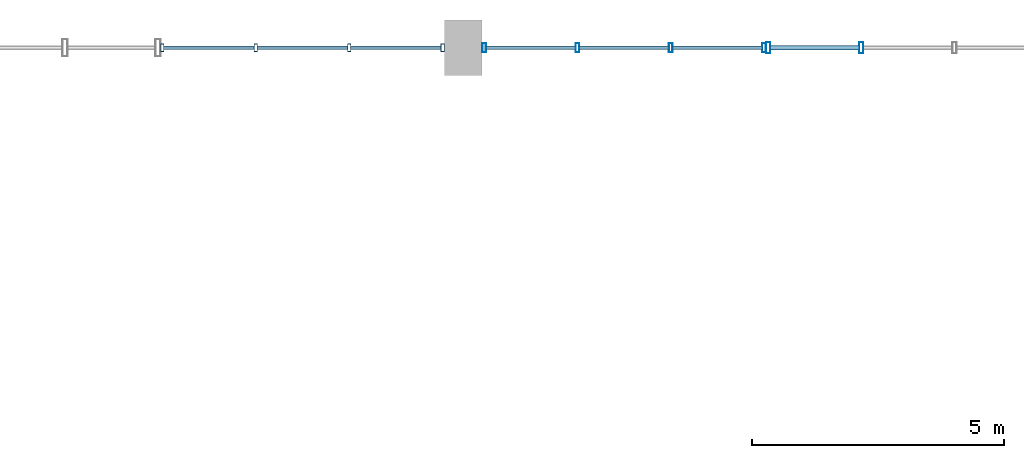
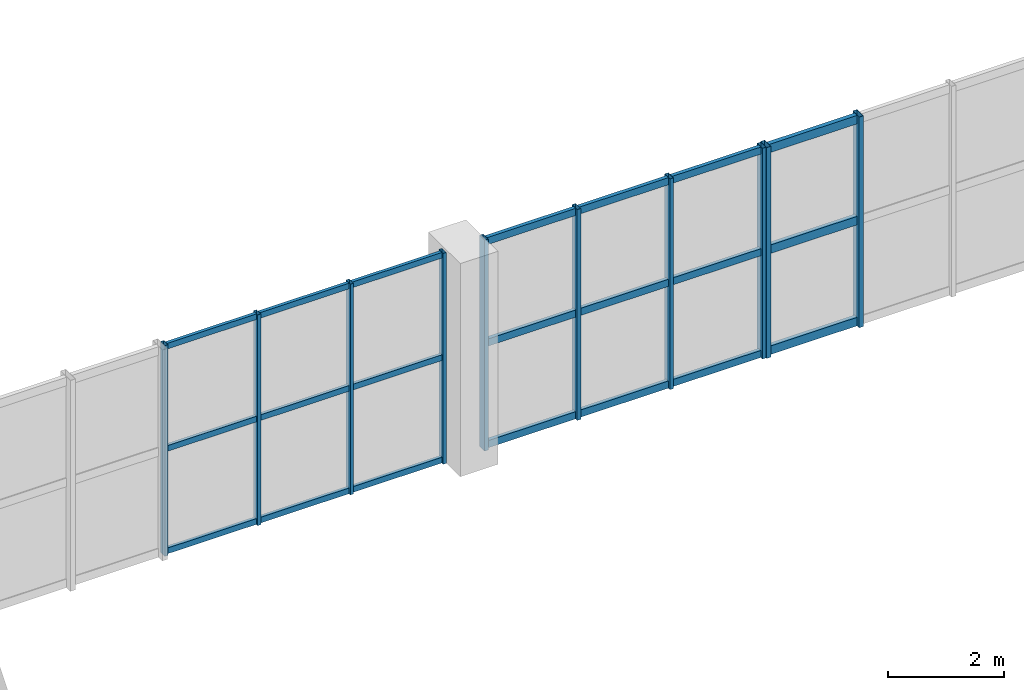
# One storey, part 27 of 48: 31 members, 3 elements without a shape of their own.
"""IFC4 building model written with IfcOpenShell, lengths in metres."""

from ifc_helpers import new_model, si_unit, direction, frame, origin, origin_2d, place, context, subcontext, project, spatial, hollow_rectangle, extrude, material, layer, layer_set, material_profile, profile_set, type_object, element, aggregate, save


model = new_model("IFC4")

# Units and contexts
model_context = context("Model", 3, precision=1e-05, world=origin(), true_north=direction((0.0, 1.0)))
body_context = subcontext(model_context, "Body", "Model", "MODEL_VIEW")
ifc_project = project(units=[si_unit("LENGTHUNIT", "METRE"), si_unit("AREAUNIT", "SQUARE_METRE"), si_unit("VOLUMEUNIT", "CUBIC_METRE"), si_unit("PLANEANGLEUNIT", "RADIAN"), si_unit("MASSUNIT", "GRAM", prefix="KILO"), si_unit("POWERUNIT", "WATT"), si_unit("THERMODYNAMICTEMPERATUREUNIT", "KELVIN")], contexts=[model_context])

# Site, building, storey
site_placement = place(None, origin())
site = spatial("IfcSite", under=ifc_project, at=site_placement, CompositionType="ELEMENT")
building_placement = place(site_placement, origin())
building = spatial("IfcBuilding", under=site, at=building_placement, Name="Kelmbourne Parkland Aquatics Centre", CompositionType="ELEMENT")
storey_placement = place(building_placement, frame((0.0, 0.0, 14.699951171875)))
storey = spatial("IfcBuildingStorey", under=building, at=storey_placement, Name="L03", CompositionType="ELEMENT", Elevation=14.699951171875)

# Curtain wall, members
ifc_material = material(Name="Thermally broken anodised aluminium framing", Category="aluminium")
ifc_layer_1 = layer(ifc_material, 0.179931640625)
ifc_layer_set_1 = layer_set([ifc_layer_1], Name="Thermally broken anodised aluminium framing")
curtain_wall_type_1 = type_object("IfcCurtainWallType", Name="CW-06", PredefinedType="NOTDEFINED", material=ifc_layer_set_1)
curtain_wall_1_placement = place(storey_placement, origin())
curtain_wall_1 = element("IfcCurtainWall", 1, at=curtain_wall_1_placement, inside=storey, type_object=curtain_wall_type_1, Name="Wave-hall clerestory curtain wall CW-L03-150", PredefinedType="NOTDEFINED")
ifc_material_profile_1 = material_profile(ifc_material, hollow_rectangle(XDim=0.06494140625, YDim=0.14990234375, WallThickness=0.00390625, at=origin_2d()), Name="CW-M 65x150")
ifc_profile_set_1 = profile_set([ifc_material_profile_1], Name="Thermally broken anodised aluminium framing")
member_type_1 = type_object("IfcMemberType", Name="MB-MUL-1", PredefinedType="MULLION", material=ifc_profile_set_1)
member_1_placement = place(storey_placement, frame((146.032470703125, 114.800048828125, 0.0), z_axis=(0.0, 0.0, 1.0), x_axis=(1.0, 0.0, 0.0)))
member_1 = element("IfcMember", 2, at=member_1_placement, type_object=member_type_1, Name="CW-L03-150 mullion 0", PredefinedType="MULLION", context=body_context, shape_type="SweptSolid", body=[
    extrude(hollow_rectangle(XDim=0.06494140625, YDim=0.14990234375, WallThickness=0.00390625, at=origin_2d()), origin(), (0.0, 0.0, 1.0), 4.449951171875),
])
member_2_placement = place(storey_placement, frame((147.88525390625, 114.800048828125, 0.0), z_axis=(0.0, 0.0, 1.0), x_axis=(1.0, 0.0, 0.0)))
member_2 = element("IfcMember", 3, at=member_2_placement, type_object=member_type_1, Name="CW-L03-150 mullion 1", PredefinedType="MULLION", context=body_context, shape_type="SweptSolid", body=[
    extrude(hollow_rectangle(XDim=0.06494140625, YDim=0.14990234375, WallThickness=0.00390625, at=origin_2d()), origin(), (0.0, 0.0, 1.0), 4.449951171875),
])
member_3_placement = place(storey_placement, frame((149.73779296875, 114.800048828125, 0.0), z_axis=(0.0, 0.0, 1.0), x_axis=(1.0, 0.0, 0.0)))
member_3 = element("IfcMember", 4, at=member_3_placement, type_object=member_type_1, Name="CW-L03-150 mullion 2", PredefinedType="MULLION", context=body_context, shape_type="SweptSolid", body=[
    extrude(hollow_rectangle(XDim=0.06494140625, YDim=0.14990234375, WallThickness=0.00390625, at=origin_2d()), origin(), (0.0, 0.0, 1.0), 4.449951171875),
])
member_4_placement = place(storey_placement, frame((151.590576171875, 114.800048828125, 0.0), z_axis=(0.0, 0.0, 1.0), x_axis=(1.0, 0.0, 0.0)))
member_4 = element("IfcMember", 5, at=member_4_placement, type_object=member_type_1, Name="CW-L03-150 mullion 3", PredefinedType="MULLION", context=body_context, shape_type="SweptSolid", body=[
    extrude(hollow_rectangle(XDim=0.06494140625, YDim=0.14990234375, WallThickness=0.00390625, at=origin_2d()), origin(), (0.0, 0.0, 1.0), 4.449951171875),
])

ifc_layer_2 = layer(ifc_material, 0.179931640625)
ifc_layer_set_2 = layer_set([ifc_layer_2], Name="Thermally broken anodised aluminium framing")
curtain_wall_type_2 = type_object("IfcCurtainWallType", Name="CW-07", PredefinedType="NOTDEFINED", material=ifc_layer_set_2)
curtain_wall_2_placement = place(storey_placement, origin())
curtain_wall_2 = element("IfcCurtainWall", 6, at=curtain_wall_2_placement, inside=storey, type_object=curtain_wall_type_2, Name="Wave-hall clerestory curtain wall CW-L03-151", PredefinedType="NOTDEFINED")
ifc_material_profile_2 = material_profile(ifc_material, hollow_rectangle(XDim=0.074951171875, YDim=0.179931640625, WallThickness=0.00439453125, at=origin_2d()), Name="CW-M 75x180")
ifc_profile_set_2 = profile_set([ifc_material_profile_2], Name="Thermally broken anodised aluminium framing")
member_type_2 = type_object("IfcMemberType", Name="MB-MUL-2", PredefinedType="MULLION", material=ifc_profile_set_2)
member_5_placement = place(storey_placement, frame((152.41455078125, 114.800048828125, 0.0), z_axis=(0.0, 0.0, 1.0), x_axis=(1.0, 0.0, 0.0)))
member_5 = element("IfcMember", 7, at=member_5_placement, type_object=member_type_2, Name="CW-L03-151 mullion 0", PredefinedType="MULLION", context=body_context, shape_type="SweptSolid", body=[
    extrude(hollow_rectangle(XDim=0.074951171875, YDim=0.179931640625, WallThickness=0.00439453125, at=origin_2d()), origin(), (0.0, 0.0, 1.0), 4.449951171875),
])
member_6_placement = place(storey_placement, frame((154.263916015625, 114.800048828125, 0.0), z_axis=(0.0, 0.0, 1.0), x_axis=(1.0, 0.0, 0.0)))
member_6 = element("IfcMember", 8, at=member_6_placement, type_object=member_type_2, Name="CW-L03-151 mullion 1", PredefinedType="MULLION", context=body_context, shape_type="SweptSolid", body=[
    extrude(hollow_rectangle(XDim=0.074951171875, YDim=0.179931640625, WallThickness=0.00439453125, at=origin_2d()), origin(), (0.0, 0.0, 1.0), 4.449951171875),
])
member_7_placement = place(storey_placement, frame((156.11328125, 114.800048828125, 0.0), z_axis=(0.0, 0.0, 1.0), x_axis=(1.0, 0.0, 0.0)))
member_7 = element("IfcMember", 9, at=member_7_placement, type_object=member_type_2, Name="CW-L03-151 mullion 2", PredefinedType="MULLION", context=body_context, shape_type="SweptSolid", body=[
    extrude(hollow_rectangle(XDim=0.074951171875, YDim=0.179931640625, WallThickness=0.00439453125, at=origin_2d()), origin(), (0.0, 0.0, 1.0), 4.449951171875),
])
member_8_placement = place(storey_placement, frame((157.96240234375, 114.800048828125, 0.0), z_axis=(0.0, 0.0, 1.0), x_axis=(1.0, 0.0, 0.0)))
member_8 = element("IfcMember", 10, at=member_8_placement, type_object=member_type_2, Name="CW-L03-151 mullion 3", PredefinedType="MULLION", context=body_context, shape_type="SweptSolid", body=[
    extrude(hollow_rectangle(XDim=0.074951171875, YDim=0.179931640625, WallThickness=0.00439453125, at=origin_2d()), origin(), (0.0, 0.0, 1.0), 4.449951171875),
])

ifc_layer_3 = layer(ifc_material, 0.179931640625)
ifc_layer_set_3 = layer_set([ifc_layer_3], Name="Thermally broken anodised aluminium framing")
curtain_wall_type_3 = type_object("IfcCurtainWallType", Name="CW-08", PredefinedType="NOTDEFINED", material=ifc_layer_set_3)
curtain_wall_3_placement = place(storey_placement, origin())
curtain_wall_3 = element("IfcCurtainWall", 11, at=curtain_wall_3_placement, inside=storey, type_object=curtain_wall_type_3, Name="Wave-hall clerestory curtain wall CW-L03-152", PredefinedType="NOTDEFINED")
ifc_material_profile_3 = material_profile(ifc_material, hollow_rectangle(XDim=0.0849609375, YDim=0.219970703125, WallThickness=0.0048828125, at=origin_2d()), Name="CW-M 85x220")
ifc_profile_set_3 = profile_set([ifc_material_profile_3], Name="Thermally broken anodised aluminium framing")
member_type_3 = type_object("IfcMemberType", Name="MB-MUL-3", PredefinedType="MULLION", material=ifc_profile_set_3)
member_9_placement = place(storey_placement, frame((158.04248046875, 114.800048828125, 0.0), z_axis=(0.0, 0.0, 1.0), x_axis=(1.0, 0.0, 0.0)))
member_9 = element("IfcMember", 12, at=member_9_placement, type_object=member_type_3, Name="CW-L03-152 mullion 0", PredefinedType="MULLION", context=body_context, shape_type="SweptSolid", body=[
    extrude(hollow_rectangle(XDim=0.0849609375, YDim=0.219970703125, WallThickness=0.0048828125, at=origin_2d()), origin(), (0.0, 0.0, 1.0), 4.449951171875),
])
member_10_placement = place(storey_placement, frame((159.888427734375, 114.800048828125, 0.0), z_axis=(0.0, 0.0, 1.0), x_axis=(1.0, 0.0, 0.0)))
member_10 = element("IfcMember", 13, at=member_10_placement, type_object=member_type_3, Name="CW-L03-152 mullion 1", PredefinedType="MULLION", context=body_context, shape_type="SweptSolid", body=[
    extrude(hollow_rectangle(XDim=0.0849609375, YDim=0.219970703125, WallThickness=0.0048828125, at=origin_2d()), origin(), (0.0, 0.0, 1.0), 4.449951171875),
])

# Member
ifc_material_profile_4 = material_profile(ifc_material, hollow_rectangle(XDim=0.06494140625, YDim=0.1201171875, WallThickness=0.00341796875, at=origin_2d()), Name="CW-T 65x120")
ifc_profile_set_4 = profile_set([ifc_material_profile_4], Name="Thermally broken anodised aluminium framing")
member_type_4 = type_object("IfcMemberType", Name="MB-TRN-1", PredefinedType="USERDEFINED", material=ifc_profile_set_4)
member_11_placement = place(storey_placement, frame((146.06103515625, 114.800048828125, 0.06298828125), z_axis=(1.0, 0.0, 0.0), x_axis=(0.0, 1.0, 0.0)))
member_11 = element("IfcMember", 14, at=member_11_placement, type_object=member_type_4, Name="CW-L03-150 transom 0-0", ObjectType="TRANSOM", PredefinedType="USERDEFINED", context=body_context, shape_type="SweptSolid", body=[
    extrude(hollow_rectangle(XDim=0.06494140625, YDim=0.1201171875, WallThickness=0.00341796875, at=origin_2d()), origin(), (0.0, 0.0, 1.0), 1.795654296875),
])

member_12_placement = place(storey_placement, frame((147.913818359375, 114.800048828125, 0.06298828125), z_axis=(1.0, 0.0, 0.0), x_axis=(0.0, 1.0, 0.0)))
member_12 = element("IfcMember", 15, at=member_12_placement, type_object=member_type_4, Name="CW-L03-150 transom 0-1", ObjectType="TRANSOM", PredefinedType="USERDEFINED", context=body_context, shape_type="SweptSolid", body=[
    extrude(hollow_rectangle(XDim=0.06494140625, YDim=0.1201171875, WallThickness=0.00341796875, at=origin_2d()), origin(), (0.0, 0.0, 1.0), 1.79541015625),
])

member_13_placement = place(storey_placement, frame((149.766357421875, 114.800048828125, 0.06298828125), z_axis=(1.0, 0.0, 0.0), x_axis=(0.0, 1.0, 0.0)))
member_13 = element("IfcMember", 16, at=member_13_placement, type_object=member_type_4, Name="CW-L03-150 transom 0-2", ObjectType="TRANSOM", PredefinedType="USERDEFINED", context=body_context, shape_type="SweptSolid", body=[
    extrude(hollow_rectangle(XDim=0.06494140625, YDim=0.1201171875, WallThickness=0.00341796875, at=origin_2d()), origin(), (0.0, 0.0, 1.0), 1.795654296875),
])

member_14_placement = place(storey_placement, frame((146.06103515625, 114.800048828125, 2.22509765625), z_axis=(1.0, 0.0, 0.0), x_axis=(0.0, 1.0, 0.0)))
member_14 = element("IfcMember", 17, at=member_14_placement, type_object=member_type_4, Name="CW-L03-150 transom 1-0", ObjectType="TRANSOM", PredefinedType="USERDEFINED", context=body_context, shape_type="SweptSolid", body=[
    extrude(hollow_rectangle(XDim=0.06494140625, YDim=0.1201171875, WallThickness=0.00341796875, at=origin_2d()), origin(), (0.0, 0.0, 1.0), 1.795654296875),
])

member_15_placement = place(storey_placement, frame((147.913818359375, 114.800048828125, 2.22509765625), z_axis=(1.0, 0.0, 0.0), x_axis=(0.0, 1.0, 0.0)))
member_15 = element("IfcMember", 18, at=member_15_placement, type_object=member_type_4, Name="CW-L03-150 transom 1-1", ObjectType="TRANSOM", PredefinedType="USERDEFINED", context=body_context, shape_type="SweptSolid", body=[
    extrude(hollow_rectangle(XDim=0.06494140625, YDim=0.1201171875, WallThickness=0.00341796875, at=origin_2d()), origin(), (0.0, 0.0, 1.0), 1.79541015625),
])

member_16_placement = place(storey_placement, frame((149.766357421875, 114.800048828125, 2.22509765625), z_axis=(1.0, 0.0, 0.0), x_axis=(0.0, 1.0, 0.0)))
member_16 = element("IfcMember", 19, at=member_16_placement, type_object=member_type_4, Name="CW-L03-150 transom 1-2", ObjectType="TRANSOM", PredefinedType="USERDEFINED", context=body_context, shape_type="SweptSolid", body=[
    extrude(hollow_rectangle(XDim=0.06494140625, YDim=0.1201171875, WallThickness=0.00341796875, at=origin_2d()), origin(), (0.0, 0.0, 1.0), 1.795654296875),
])

member_17_placement = place(storey_placement, frame((146.06103515625, 114.800048828125, 4.386962890625), z_axis=(1.0, 0.0, 0.0), x_axis=(0.0, 1.0, 0.0)))
member_17 = element("IfcMember", 20, at=member_17_placement, type_object=member_type_4, Name="CW-L03-150 transom 2-0", ObjectType="TRANSOM", PredefinedType="USERDEFINED", context=body_context, shape_type="SweptSolid", body=[
    extrude(hollow_rectangle(XDim=0.06494140625, YDim=0.1201171875, WallThickness=0.00341796875, at=origin_2d()), origin(), (0.0, 0.0, 1.0), 1.795654296875),
])

member_18_placement = place(storey_placement, frame((147.913818359375, 114.800048828125, 4.386962890625), z_axis=(1.0, 0.0, 0.0), x_axis=(0.0, 1.0, 0.0)))
member_18 = element("IfcMember", 21, at=member_18_placement, type_object=member_type_4, Name="CW-L03-150 transom 2-1", ObjectType="TRANSOM", PredefinedType="USERDEFINED", context=body_context, shape_type="SweptSolid", body=[
    extrude(hollow_rectangle(XDim=0.06494140625, YDim=0.1201171875, WallThickness=0.00341796875, at=origin_2d()), origin(), (0.0, 0.0, 1.0), 1.79541015625),
])

member_19_placement = place(storey_placement, frame((149.766357421875, 114.800048828125, 4.386962890625), z_axis=(1.0, 0.0, 0.0), x_axis=(0.0, 1.0, 0.0)))
member_19 = element("IfcMember", 22, at=member_19_placement, type_object=member_type_4, Name="CW-L03-150 transom 2-2", ObjectType="TRANSOM", PredefinedType="USERDEFINED", context=body_context, shape_type="SweptSolid", body=[
    extrude(hollow_rectangle(XDim=0.06494140625, YDim=0.1201171875, WallThickness=0.00341796875, at=origin_2d()), origin(), (0.0, 0.0, 1.0), 1.795654296875),
])

aggregate(curtain_wall_1, [member_1, member_2, member_3, member_4, member_11, member_12, member_13, member_14, member_15, member_16, member_17, member_18, member_19])

ifc_material_profile_5 = material_profile(ifc_material, hollow_rectangle(XDim=0.074951171875, YDim=0.14990234375, WallThickness=0.00390625, at=origin_2d()), Name="CW-T 75x150")
ifc_profile_set_5 = profile_set([ifc_material_profile_5], Name="Thermally broken anodised aluminium framing")
member_type_5 = type_object("IfcMemberType", Name="MB-TRN-2", PredefinedType="USERDEFINED", material=ifc_profile_set_5)
member_20_placement = place(storey_placement, frame((152.447998046875, 114.800048828125, 0.078125), z_axis=(1.0, 0.0, 0.0), x_axis=(0.0, 1.0, 0.0)))
member_20 = element("IfcMember", 23, at=member_20_placement, type_object=member_type_5, Name="CW-L03-151 transom 0-0", ObjectType="TRANSOM", PredefinedType="USERDEFINED", context=body_context, shape_type="SweptSolid", body=[
    extrude(hollow_rectangle(XDim=0.074951171875, YDim=0.14990234375, WallThickness=0.00390625, at=origin_2d()), origin(), (0.0, 0.0, 1.0), 1.7822265625),
])

member_21_placement = place(storey_placement, frame((154.29736328125, 114.800048828125, 0.078125), z_axis=(1.0, 0.0, 0.0), x_axis=(0.0, 1.0, 0.0)))
member_21 = element("IfcMember", 24, at=member_21_placement, type_object=member_type_5, Name="CW-L03-151 transom 0-1", ObjectType="TRANSOM", PredefinedType="USERDEFINED", context=body_context, shape_type="SweptSolid", body=[
    extrude(hollow_rectangle(XDim=0.074951171875, YDim=0.14990234375, WallThickness=0.00390625, at=origin_2d()), origin(), (0.0, 0.0, 1.0), 1.7822265625),
])

member_22_placement = place(storey_placement, frame((156.146728515625, 114.800048828125, 0.078125), z_axis=(1.0, 0.0, 0.0), x_axis=(0.0, 1.0, 0.0)))
member_22 = element("IfcMember", 25, at=member_22_placement, type_object=member_type_5, Name="CW-L03-151 transom 0-2", ObjectType="TRANSOM", PredefinedType="USERDEFINED", context=body_context, shape_type="SweptSolid", body=[
    extrude(hollow_rectangle(XDim=0.074951171875, YDim=0.14990234375, WallThickness=0.00390625, at=origin_2d()), origin(), (0.0, 0.0, 1.0), 1.7822265625),
])

member_23_placement = place(storey_placement, frame((152.447998046875, 114.800048828125, 2.22509765625), z_axis=(1.0, 0.0, 0.0), x_axis=(0.0, 1.0, 0.0)))
member_23 = element("IfcMember", 26, at=member_23_placement, type_object=member_type_5, Name="CW-L03-151 transom 1-0", ObjectType="TRANSOM", PredefinedType="USERDEFINED", context=body_context, shape_type="SweptSolid", body=[
    extrude(hollow_rectangle(XDim=0.074951171875, YDim=0.14990234375, WallThickness=0.00390625, at=origin_2d()), origin(), (0.0, 0.0, 1.0), 1.7822265625),
])

member_24_placement = place(storey_placement, frame((154.29736328125, 114.800048828125, 2.22509765625), z_axis=(1.0, 0.0, 0.0), x_axis=(0.0, 1.0, 0.0)))
member_24 = element("IfcMember", 27, at=member_24_placement, type_object=member_type_5, Name="CW-L03-151 transom 1-1", ObjectType="TRANSOM", PredefinedType="USERDEFINED", context=body_context, shape_type="SweptSolid", body=[
    extrude(hollow_rectangle(XDim=0.074951171875, YDim=0.14990234375, WallThickness=0.00390625, at=origin_2d()), origin(), (0.0, 0.0, 1.0), 1.7822265625),
])

member_25_placement = place(storey_placement, frame((156.146728515625, 114.800048828125, 2.22509765625), z_axis=(1.0, 0.0, 0.0), x_axis=(0.0, 1.0, 0.0)))
member_25 = element("IfcMember", 28, at=member_25_placement, type_object=member_type_5, Name="CW-L03-151 transom 1-2", ObjectType="TRANSOM", PredefinedType="USERDEFINED", context=body_context, shape_type="SweptSolid", body=[
    extrude(hollow_rectangle(XDim=0.074951171875, YDim=0.14990234375, WallThickness=0.00390625, at=origin_2d()), origin(), (0.0, 0.0, 1.0), 1.7822265625),
])

member_26_placement = place(storey_placement, frame((152.447998046875, 114.800048828125, 4.3720703125), z_axis=(1.0, 0.0, 0.0), x_axis=(0.0, 1.0, 0.0)))
member_26 = element("IfcMember", 29, at=member_26_placement, type_object=member_type_5, Name="CW-L03-151 transom 2-0", ObjectType="TRANSOM", PredefinedType="USERDEFINED", context=body_context, shape_type="SweptSolid", body=[
    extrude(hollow_rectangle(XDim=0.074951171875, YDim=0.14990234375, WallThickness=0.00390625, at=origin_2d()), origin(), (0.0, 0.0, 1.0), 1.7822265625),
])

member_27_placement = place(storey_placement, frame((154.29736328125, 114.800048828125, 4.3720703125), z_axis=(1.0, 0.0, 0.0), x_axis=(0.0, 1.0, 0.0)))
member_27 = element("IfcMember", 30, at=member_27_placement, type_object=member_type_5, Name="CW-L03-151 transom 2-1", ObjectType="TRANSOM", PredefinedType="USERDEFINED", context=body_context, shape_type="SweptSolid", body=[
    extrude(hollow_rectangle(XDim=0.074951171875, YDim=0.14990234375, WallThickness=0.00390625, at=origin_2d()), origin(), (0.0, 0.0, 1.0), 1.7822265625),
])

member_28_placement = place(storey_placement, frame((156.146728515625, 114.800048828125, 4.3720703125), z_axis=(1.0, 0.0, 0.0), x_axis=(0.0, 1.0, 0.0)))
member_28 = element("IfcMember", 31, at=member_28_placement, type_object=member_type_5, Name="CW-L03-151 transom 2-2", ObjectType="TRANSOM", PredefinedType="USERDEFINED", context=body_context, shape_type="SweptSolid", body=[
    extrude(hollow_rectangle(XDim=0.074951171875, YDim=0.14990234375, WallThickness=0.00390625, at=origin_2d()), origin(), (0.0, 0.0, 1.0), 1.7822265625),
])

aggregate(curtain_wall_2, [member_5, member_6, member_7, member_8, member_20, member_21, member_22, member_23, member_24, member_25, member_26, member_27, member_28])

ifc_material_profile_6 = material_profile(ifc_material, hollow_rectangle(XDim=0.0849609375, YDim=0.179931640625, WallThickness=0.00439453125, at=origin_2d()), Name="CW-T 85x180")
ifc_profile_set_6 = profile_set([ifc_material_profile_6], Name="Thermally broken anodised aluminium framing")
member_type_6 = type_object("IfcMemberType", Name="MB-TRN-3", PredefinedType="USERDEFINED", material=ifc_profile_set_6)
member_29_placement = place(storey_placement, frame((158.0810546875, 114.800048828125, 0.093017578125), z_axis=(1.0, 0.0, 0.0), x_axis=(0.0, 1.0, 0.0)))
member_29 = element("IfcMember", 32, at=member_29_placement, type_object=member_type_6, Name="CW-L03-152 transom 0-0", ObjectType="TRANSOM", PredefinedType="USERDEFINED", context=body_context, shape_type="SweptSolid", body=[
    extrude(hollow_rectangle(XDim=0.0849609375, YDim=0.179931640625, WallThickness=0.00439453125, at=origin_2d()), origin(), (0.0, 0.0, 1.0), 1.76904296875),
])

member_30_placement = place(storey_placement, frame((158.0810546875, 114.800048828125, 2.22509765625), z_axis=(1.0, 0.0, 0.0), x_axis=(0.0, 1.0, 0.0)))
member_30 = element("IfcMember", 33, at=member_30_placement, type_object=member_type_6, Name="CW-L03-152 transom 1-0", ObjectType="TRANSOM", PredefinedType="USERDEFINED", context=body_context, shape_type="SweptSolid", body=[
    extrude(hollow_rectangle(XDim=0.0849609375, YDim=0.179931640625, WallThickness=0.00439453125, at=origin_2d()), origin(), (0.0, 0.0, 1.0), 1.76904296875),
])

member_31_placement = place(storey_placement, frame((158.0810546875, 114.800048828125, 4.35693359375), z_axis=(1.0, 0.0, 0.0), x_axis=(0.0, 1.0, 0.0)))
member_31 = element("IfcMember", 34, at=member_31_placement, type_object=member_type_6, Name="CW-L03-152 transom 2-0", ObjectType="TRANSOM", PredefinedType="USERDEFINED", context=body_context, shape_type="SweptSolid", body=[
    extrude(hollow_rectangle(XDim=0.0849609375, YDim=0.179931640625, WallThickness=0.00439453125, at=origin_2d()), origin(), (0.0, 0.0, 1.0), 1.76904296875),
])

aggregate(curtain_wall_3, [member_9, member_10, member_29, member_30, member_31])

save(model, "model.ifc")
